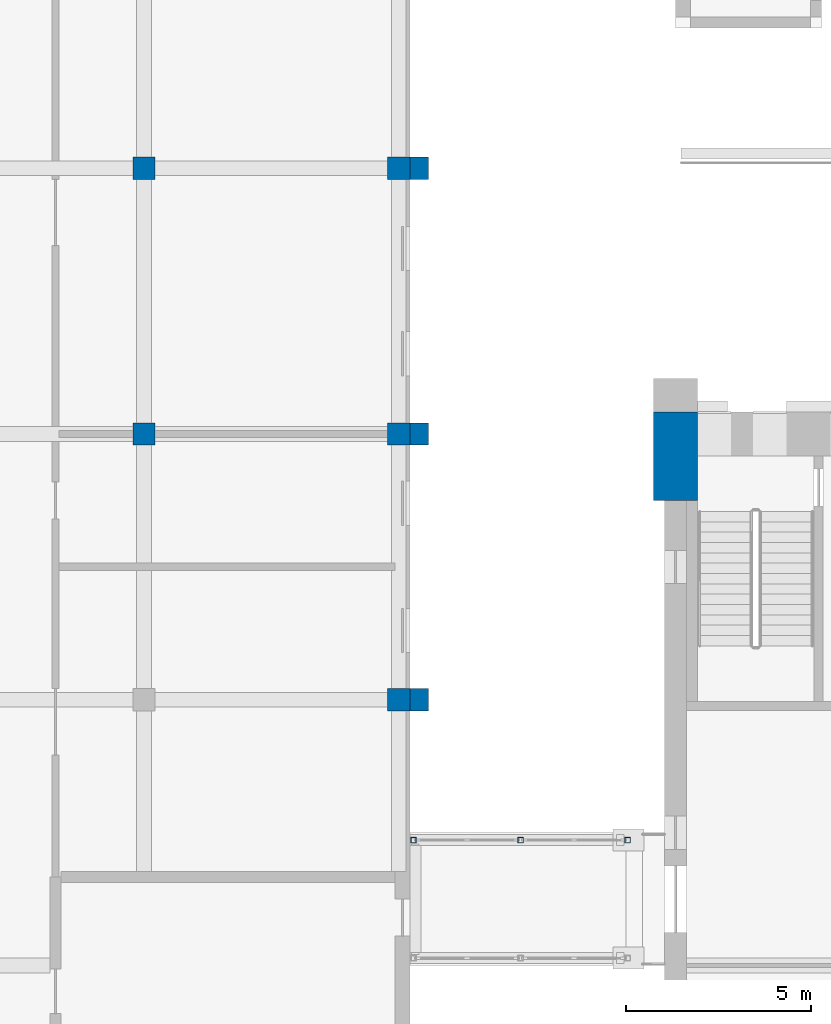
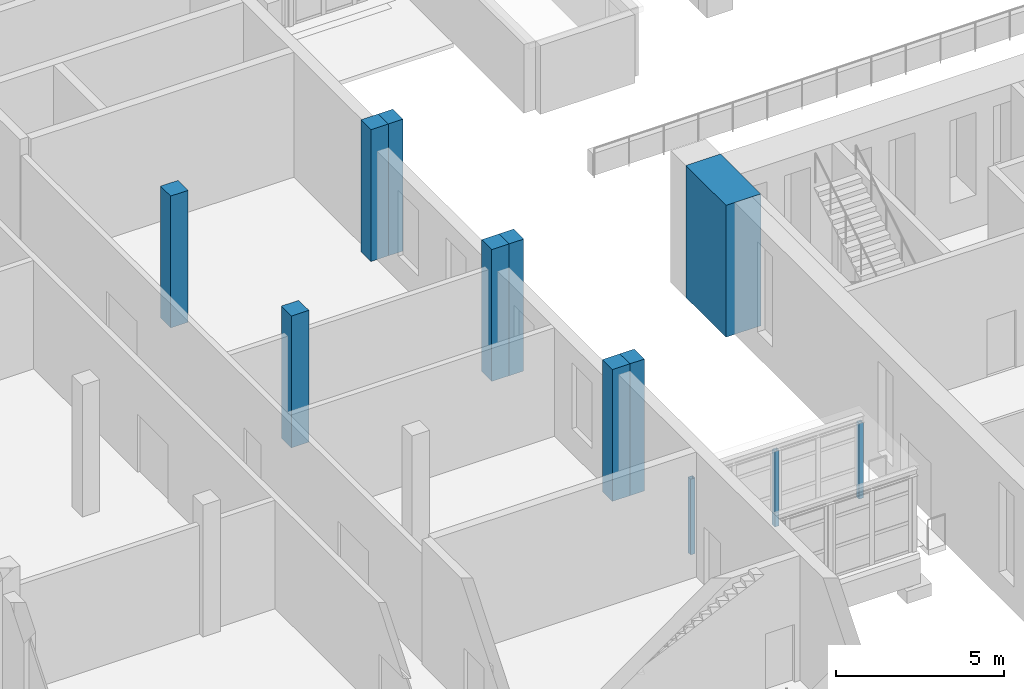
# One storey, part 15 of 131: 12 columns.
"""IFC4 building model written with IfcOpenShell, lengths in metres."""

from ifc_helpers import new_model, si_unit, direction, frame, origin, origin_2d, place, context, subcontext, project, spatial, rectangle, hollow_rectangle, extrude, material, material_profile, profile_set, type_object, element, save


model = new_model("IFC4")

# Units and contexts
model_context = context("Model", 3, precision=1e-05, world=origin(), true_north=direction((0.0, 1.0)))
body_context = subcontext(model_context, "Body", "Model", "MODEL_VIEW")
ifc_project = project(units=[si_unit("LENGTHUNIT", "METRE"), si_unit("AREAUNIT", "SQUARE_METRE"), si_unit("VOLUMEUNIT", "CUBIC_METRE"), si_unit("PLANEANGLEUNIT", "RADIAN"), si_unit("MASSUNIT", "GRAM", prefix="KILO")], contexts=[model_context])

# Site, building, storey
site_placement = place(None, origin())
site = spatial("IfcSite", under=ifc_project, at=site_placement, CompositionType="ELEMENT")
building_placement = place(site_placement, origin())
building = spatial("IfcBuilding", under=site, at=building_placement, Name="Alderwick Market Hall", CompositionType="ELEMENT")
storey_placement = place(building_placement, frame((0.0, 0.0, 4.800048828125)))
storey = spatial("IfcBuildingStorey", under=building, at=storey_placement, Name="L00", CompositionType="ELEMENT", Elevation=4.800048828125)

# Columns
ifc_material_1 = material(Name="Concrete 5000 psi (f'c 35 MPa)", Category="concrete")
ifc_material_profile_1 = material_profile(ifc_material_1, rectangle(XDim=0.5, YDim=0.60009765625, at=origin_2d()), Name="B Pilaster 500x600")
ifc_profile_set_1 = profile_set([ifc_material_profile_1], Name="Concrete 5000 psi (f'c 35 MPa)")
column_type_1 = type_object("IfcColumnType", Name="B Pilaster 500x600", PredefinedType="COLUMN", material=ifc_profile_set_1)
for number, where, z_axis, x_axis, name in (
    (1, (43.449951171875, 100.800048828125, 0.0), (0.0, 0.0, 1.0), (1.0, 0.0, 0.0), "Pilaster E01"),
    (2, (43.449951171875, 108.0, 0.0), (0.0, 0.0, 1.0), (1.0, 0.0, 0.0), "Pilaster E02"),
    (3, (43.449951171875, 115.199951171875, 0.0), (0.0, 0.0, 1.0), (1.0, 0.0, 0.0), "Pilaster E03"),
):
    element("IfcColumn", number, at=place(storey_placement, frame(where, z_axis=z_axis, x_axis=x_axis)), inside=storey, type_object=column_type_1, Name=name, PredefinedType="COLUMN", context=body_context, shape_type="SweptSolid", body=[
        extrude(rectangle(XDim=0.5, YDim=0.60009765625, at=origin_2d()), origin(), (0.0, 0.0, 1.0), 4.800048828125),
    ])
ifc_material_2 = material(Name="Precast concrete 6000 psi (f'c 42 MPa)", Category="concrete")
ifc_material_profile_2 = material_profile(ifc_material_2, rectangle(XDim=0.60009765625, YDim=0.60009765625, at=origin_2d()), Name="B Precast Pier 600x600")
ifc_profile_set_2 = profile_set([ifc_material_profile_2], Name="Precast concrete 6000 psi (f'c 42 MPa)")
column_type_2 = type_object("IfcColumnType", Name="B Precast Pier 600x600", PredefinedType="COLUMN", material=ifc_profile_set_2)
for number, where, z_axis, x_axis, name in (
    (4, (42.89990234375, 115.199951171875, 0.0), (0.0, 0.0, 1.0), (1.0, 0.0, 0.0), "B.N.col.L00.213-144"),
    (5, (42.89990234375, 108.0, 0.0), (0.0, 0.0, 1.0), (1.0, 0.0, 0.0), "B.N.col.L00.213-216"),
    (6, (42.89990234375, 100.800048828125, 0.0), (0.0, 0.0, 1.0), (1.0, 0.0, 0.0), "B.N.col.L00.213-288"),
):
    element("IfcColumn", number, at=place(storey_placement, frame(where, z_axis=z_axis, x_axis=x_axis)), inside=storey, type_object=column_type_2, Name=name, PredefinedType="COLUMN", context=body_context, shape_type="SweptSolid", body=[
        extrude(rectangle(XDim=0.60009765625, YDim=0.60009765625, at=origin_2d()), origin(), (0.0, 0.0, 1.0), 4.800048828125),
    ])
ifc_material_profile_3 = material_profile(ifc_material_1, rectangle(XDim=0.60009765625, YDim=0.60009765625, at=origin_2d()), Name="B RC Column 600x600")
ifc_profile_set_3 = profile_set([ifc_material_profile_3], Name="Concrete 5000 psi (f'c 35 MPa)")
column_type_3 = type_object("IfcColumnType", Name="B RC Column 600x600", PredefinedType="COLUMN", material=ifc_profile_set_3)
for number, where, z_axis, x_axis, name in (
    (7, (36.0, 115.199951171875, 0.0), (0.0, 0.0, 1.0), (1.0, 0.0, 0.0), "B.N.col.L00.144-144"),
    (8, (36.0, 108.0, 0.0), (0.0, 0.0, 1.0), (1.0, 0.0, 0.0), "B.N.col.L00.144-216"),
):
    element("IfcColumn", number, at=place(storey_placement, frame(where, z_axis=z_axis, x_axis=x_axis)), inside=storey, type_object=column_type_3, Name=name, PredefinedType="COLUMN", context=body_context, shape_type="SweptSolid", body=[
        extrude(rectangle(XDim=0.60009765625, YDim=0.60009765625, at=origin_2d()), origin(), (0.0, 0.0, 1.0), 4.800048828125),
    ])
ifc_material_3 = material(Name="Steel ASTM A500 Grade C", Category="steel")
ifc_material_profile_4 = material_profile(ifc_material_3, hollow_rectangle(XDim=0.152099609375, YDim=0.152099609375, WallThickness=0.009521484375, at=origin_2d()), Name="HSS152x152x9.5")
ifc_profile_set_4 = profile_set([ifc_material_profile_4], Name="Steel ASTM A500 Grade C")
column_type_4 = type_object("IfcColumnType", Name="P HSS Column 152x152x9.5", PredefinedType="COLUMN", material=ifc_profile_set_4)
for number, where, z_axis, x_axis, name in (
    (9, (43.300048828125, 97.0, 0.0), (0.0, 0.0, 1.0), (1.0, 0.0, 0.0), "P.P5.col.b0"),
    (10, (46.199951171875, 97.0, 0.0), (0.0, 0.0, 1.0), (1.0, 0.0, 0.0), "P.P5.col.b1"),
    (11, (49.10009765625, 97.0, 0.0), (0.0, 0.0, 1.0), (1.0, 0.0, 0.0), "P.P5.col.b2"),
):
    element("IfcColumn", number, at=place(storey_placement, frame(where, z_axis=z_axis, x_axis=x_axis)), inside=storey, type_object=column_type_4, Name=name, PredefinedType="COLUMN", context=body_context, shape_type="SweptSolid", body=[
        extrude(hollow_rectangle(XDim=0.152099609375, YDim=0.152099609375, WallThickness=0.009521484375, at=origin_2d()), origin(), (0.0, 0.0, 1.0), 2.7529296875),
    ])
ifc_material_profile_5 = material_profile(ifc_material_1, rectangle(XDim=1.199951171875, YDim=2.39990234375, at=origin_2d()), Name="RC 1200x2400")
ifc_profile_set_5 = profile_set([ifc_material_profile_5], Name="Concrete 5000 psi (f'c 35 MPa)")
column_type_5 = type_object("IfcColumnType", Name="R Buttress Pier 1200x2400", PredefinedType="COLUMN", material=ifc_profile_set_5)
column_placement = place(storey_placement, frame((50.39990234375, 107.39990234375, 0.0), z_axis=(0.0, 0.0, 1.0), x_axis=(1.0, 0.0, 0.0)))
element("IfcColumn", 12, at=column_placement, inside=storey, type_object=column_type_5, Name="Buttress pier N1 L00", PredefinedType="COLUMN", context=body_context, shape_type="SweptSolid", body=[
    extrude(rectangle(XDim=1.199951171875, YDim=2.39990234375, at=origin_2d()), origin(), (0.0, 0.0, 1.0), 4.800048828125),
])

save(model, "model.ifc")
